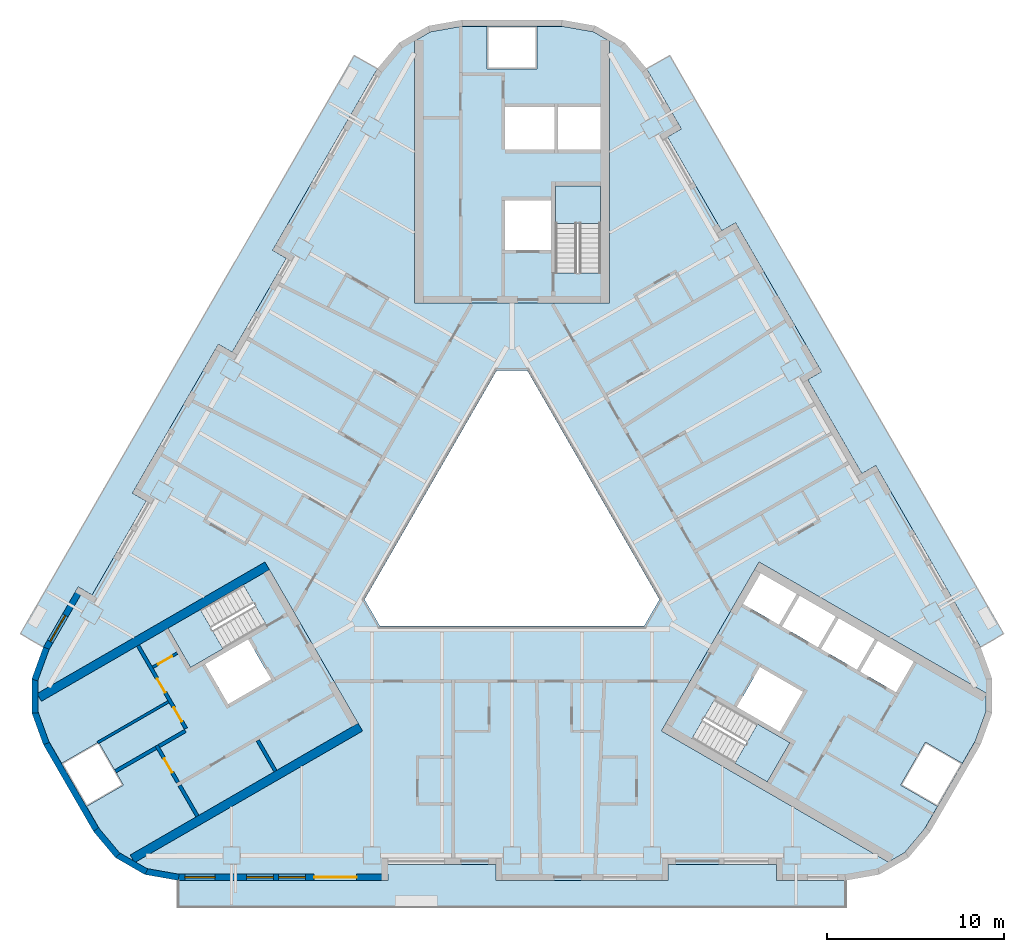
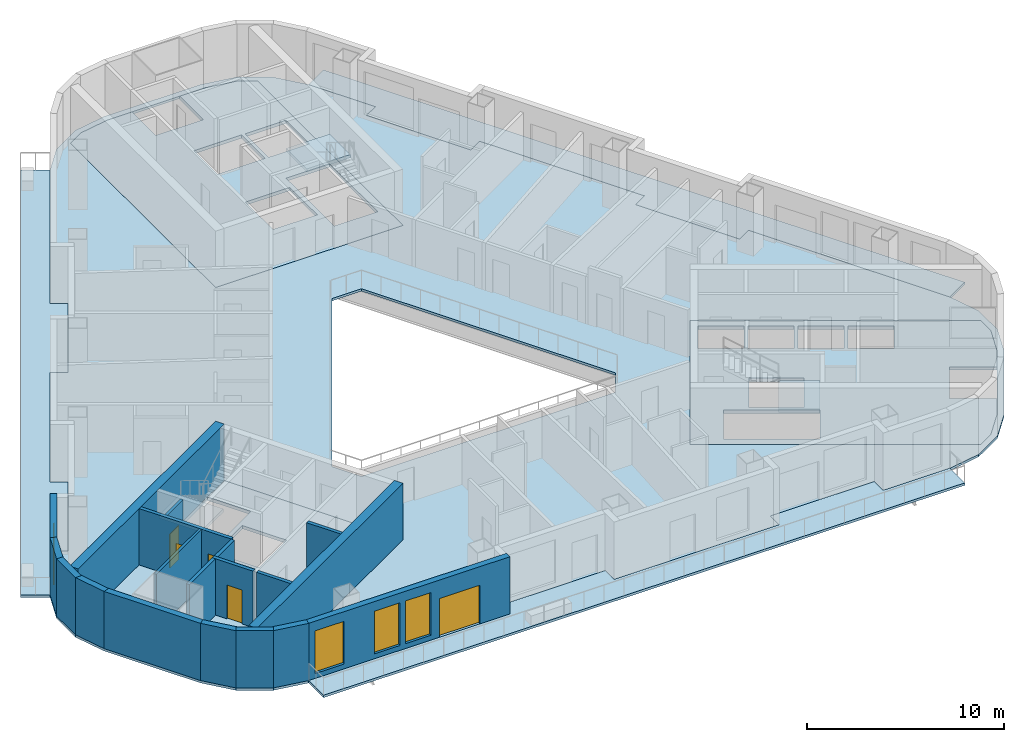
# One storey, part 2 of 14: 19 walls, 10 slabs, 5 doors, 4 windows, 9 openings, 3 elements without a shape of their own.
"""IFC4 building model written with IfcOpenShell, lengths in metres."""

import ifcopenshell
import ifcopenshell.guid

model = None  # the IFC model being written
_history = None  # IfcOwnerHistory: only IFC2X3 demands one
_inside = {}  # id of a spatial element -> (the spatial element, [elements in it])
_under = {}  # id of a project, library or spatial element -> (it, [spatial elements below it])
_declared = {}  # id of a project -> (the project, [libraries it declares])
_typed = {}  # id of a type object -> (the type object, [elements of that type])
_made_of = {}  # id of a material, layer set ... -> (it, [elements and type objects made of it])


def new_model(schema):
    """Start an empty IFC model of exactly this schema.

    Asked for "IFC4X3", IfcOpenShell would pick the latest addendum, in which some entities
    have other attributes; the version numbers below select the first issue.
    IFC2X3 requires an IfcOwnerHistory on every rooted entity: one is made here for all.
    """
    global model, _history
    if schema == "IFC4X3":
        model = ifcopenshell.file(schema_version=(4, 3, 0, 0))
    else:
        model = ifcopenshell.file(schema=schema)
    _inside.clear()
    _under.clear()
    _declared.clear()
    _typed.clear()
    _made_of.clear()
    _history = None
    if model.schema == "IFC2X3":
        org = make("IfcOrganization", Name="unknown")
        user = make(
            "IfcPersonAndOrganization",
            ThePerson=make("IfcPerson", FamilyName="unknown"),
            TheOrganization=org,
        )
        app = make(
            "IfcApplication",
            ApplicationDeveloper=org,
            Version="unknown",
            ApplicationFullName="unknown",
            ApplicationIdentifier="unknown",
        )
        _history = make(
            "IfcOwnerHistory",
            OwningUser=user,
            OwningApplication=app,
            ChangeAction="ADDED",
            CreationDate=0,
        )
    return model


def make(cls, **values):
    """One entity of the class cls with the attributes given. An attribute that is None is left unset."""
    return model.create_entity(
        cls, **{name: value for name, value in values.items() if value is not None}
    )


def rooted(cls, **values):
    """An entity with a GlobalId (a new one), such as an element, a storey or a relation."""
    return make(cls, GlobalId=ifcopenshell.guid.new(), OwnerHistory=_history, **values)


def si_unit(unit_type, name, prefix=None):
    """IfcSIUnit, for example si_unit("LENGTHUNIT", "METRE", prefix="MILLI")."""
    return make("IfcSIUnit", UnitType=unit_type, Prefix=prefix, Name=name)


def assignment(units):
    """IfcUnitAssignment: the units of a project."""
    return None if units is None else make("IfcUnitAssignment", Units=units)


def point(xyz):
    """IfcCartesianPoint."""
    return None if xyz is None else make("IfcCartesianPoint", Coordinates=xyz)


def direction(xyz):
    """IfcDirection."""
    return None if xyz is None else make("IfcDirection", DirectionRatios=xyz)


def frame(location, z_axis=None, x_axis=None):
    """IfcAxis2Placement3D, a coordinate frame: its origin and axes. An axis left out is left unset."""
    return make(
        "IfcAxis2Placement3D",
        Location=point(location),
        Axis=direction(z_axis),
        RefDirection=direction(x_axis),
    )


def frame_2d(location, x_axis=None):
    """IfcAxis2Placement2D, a coordinate frame in the plane: its origin and x axis."""
    return make(
        "IfcAxis2Placement2D", Location=point(location), RefDirection=direction(x_axis)
    )


def origin():
    """The frame at (0, 0, 0) with its axes left unset."""
    return frame((0.0, 0.0, 0.0))


def place(relative_to, where):
    """IfcLocalPlacement: puts the frame where relative to a parent placement (None: the world)."""
    return make(
        "IfcLocalPlacement", PlacementRelTo=relative_to, RelativePlacement=where
    )


def context(
    kind, dimensions, precision=None, world=None, true_north=None, identifier=None
):
    """IfcGeometricRepresentationContext, for example the 3D "Model" context."""
    return make(
        "IfcGeometricRepresentationContext",
        ContextIdentifier=identifier,
        ContextType=kind,
        CoordinateSpaceDimension=dimensions,
        Precision=precision,
        WorldCoordinateSystem=world,
        TrueNorth=true_north,
    )


def subcontext(parent, identifier, kind, view, scale=None):
    """IfcGeometricRepresentationSubContext, for example "Body" below "Model"."""
    return make(
        "IfcGeometricRepresentationSubContext",
        ContextIdentifier=identifier,
        ContextType=kind,
        ParentContext=parent,
        TargetScale=scale,
        TargetView=view,
    )


def project(units=None, contexts=None):
    """IfcProject with its units and contexts."""
    return rooted(
        "IfcProject",
        Name="project",
        RepresentationContexts=contexts,
        UnitsInContext=assignment(units),
    )


def spatial(cls, under=None, at=None, **own):
    """A site, building, storey or space (cls), placed at a placement, below another one or the project."""
    s = rooted(cls, ObjectPlacement=at, **own)
    if under is not None:
        _under.setdefault(under.id(), (under, []))[1].append(s)
    return s


def polyline(points):
    """IfcPolyline through the points."""
    return make("IfcPolyline", Points=[point(p) for p in points])


def profile(cls, at=None, kind="AREA", **sizes):
    """A parametric profile (cls). Its sizes go by their IFC names, for example OverallWidth=200.0."""
    return make(cls, ProfileType=kind, Position=at, **sizes)


def rectangle(**sizes):
    """IfcRectangleProfileDef."""
    return profile("IfcRectangleProfileDef", **sizes)


def outline(outer, holes=None, kind="AREA"):
    """IfcArbitraryClosedProfileDef: a profile drawn as a closed curve; with holes, ...WithVoids."""
    if holes is None:
        return make("IfcArbitraryClosedProfileDef", ProfileType=kind, OuterCurve=outer)
    return make(
        "IfcArbitraryProfileDefWithVoids",
        ProfileType=kind,
        OuterCurve=outer,
        InnerCurves=holes,
    )


def extrude(swept, where, along, depth):
    """IfcExtrudedAreaSolid: the profile swept, set in the frame where, extruded along a direction by depth."""
    return make(
        "IfcExtrudedAreaSolid",
        SweptArea=swept,
        Position=where,
        ExtrudedDirection=direction(along),
        Depth=depth,
    )


def shape(context_of_items, identifier, shape_type, items):
    """IfcShapeRepresentation: the items that make up one representation, for example the "Body"."""
    return make(
        "IfcShapeRepresentation",
        ContextOfItems=context_of_items,
        RepresentationIdentifier=identifier,
        RepresentationType=shape_type,
        Items=items,
    )


def material(Name=None, Category=None):
    """IfcMaterial."""
    return make("IfcMaterial", Name=Name, Category=Category)


def layer(
    of_material, thickness, ventilated=None, Name=None, Category=None, Priority=None
):
    """IfcMaterialLayer: one layer of a wall or slab, of a material (None: an air gap)."""
    return make(
        "IfcMaterialLayer",
        Material=of_material,
        LayerThickness=thickness,
        IsVentilated=ventilated,
        Name=Name,
        Category=Category,
        Priority=Priority,
    )


def layer_set(layers, Name=None):
    """IfcMaterialLayerSet."""
    return make("IfcMaterialLayerSet", MaterialLayers=layers, LayerSetName=Name)


def made_of(thing, what):
    """Note that an element or type object is made of a material, layer set ...; save() writes the relation."""
    if what is not None:
        _made_of.setdefault(what.id(), (what, []))[1].append(thing)
    return thing


def type_object(cls, material=None, **own):
    """A type object (cls), such as IfcWallType, which elements share."""
    return made_of(rooted(cls, **own), material)


def element(
    cls,
    number,
    at=None,
    inside=None,
    cuts=None,
    type_object=None,
    material=None,
    context=None,
    identifier="Body",
    shape_type=None,
    held_by="IfcProductDefinitionShape",
    body=None,
    shapes=None,
    **own,
):
    """One element of the class cls, such as IfcWall. Its Tag is "e" and its number.

    at: its placement. inside: the storey or other place that contains it. cuts: it is an
    opening in that element (IfcRelVoidsElement). A single representation is given by context,
    identifier, shape_type and body (its items); several are given by shapes. held_by: the class
    of the entity that holds the representations. save() writes the other relations.
    """
    e = rooted(cls, Tag="e%d" % number, ObjectPlacement=at, **own)
    if body is not None:
        shapes = [shape(context, identifier, shape_type, body)]
    if shapes is not None:
        e.Representation = make(held_by, Representations=shapes)
    if inside is not None:
        _inside.setdefault(inside.id(), (inside, []))[1].append(e)
    if cuts is not None:
        rooted(
            "IfcRelVoidsElement", RelatingBuildingElement=cuts, RelatedOpeningElement=e
        )
    if type_object is not None:
        _typed.setdefault(type_object.id(), (type_object, []))[1].append(e)
    return made_of(e, material)


def fill(opening, filler):
    """IfcRelFillsElement: the door or window that sits in an opening."""
    return rooted(
        "IfcRelFillsElement",
        RelatingOpeningElement=opening,
        RelatedBuildingElement=filler,
    )


def aggregate(whole, parts):
    """IfcRelAggregates: a whole, such as a stair, and the parts it consists of."""
    return rooted("IfcRelAggregates", RelatingObject=whole, RelatedObjects=parts)


def save(model, path):
    """Write the relations noted so far, then the file.

    IfcRelAggregates (storeys below a building ...), IfcRelContainedInSpatialStructure (elements
    in a storey), IfcRelDefinesByType, IfcRelAssociatesMaterial and IfcRelDeclares: one each for
    every whole, place, type object, material and project.
    """
    for whole, parts in _under.values():
        aggregate(whole, parts)
    for where, things in _inside.values():
        rooted(
            "IfcRelContainedInSpatialStructure",
            RelatedElements=things,
            RelatingStructure=where,
        )
    for kind, things in _typed.values():
        rooted("IfcRelDefinesByType", RelatedObjects=things, RelatingType=kind)
    for what, things in _made_of.values():
        rooted("IfcRelAssociatesMaterial", RelatedObjects=things, RelatingMaterial=what)
    for by, libraries in _declared.values():
        rooted("IfcRelDeclares", RelatingContext=by, RelatedDefinitions=libraries)
    model.write(path)


model = new_model("IFC4")

# Units and contexts
model_context = context("Model", 3, precision=1e-05, world=origin(), true_north=direction((0.0, 1.0)))
body_context = subcontext(model_context, "Body", "Model", "MODEL_VIEW")
ifc_project = project(units=[si_unit("LENGTHUNIT", "METRE"), si_unit("AREAUNIT", "SQUARE_METRE"), si_unit("VOLUMEUNIT", "CUBIC_METRE"), si_unit("PLANEANGLEUNIT", "RADIAN"), si_unit("MASSUNIT", "GRAM", prefix="KILO")], contexts=[model_context])

# Site, building, storey
site_placement = place(None, origin())
site = spatial("IfcSite", under=ifc_project, at=site_placement, CompositionType="ELEMENT")
building_placement = place(site_placement, origin())
building = spatial("IfcBuilding", under=site, at=building_placement, Name="Apuvela Tower Hotel", CompositionType="ELEMENT")
storey_placement = place(building_placement, frame((0.0, 0.0, 50.199951171875)))
storey = spatial("IfcBuildingStorey", under=building, at=storey_placement, Name="L09", CompositionType="ELEMENT", Elevation=50.199951171875)

# Slabs
ifc_material_1 = material(Name="Concrete C50/60", Category="concrete")
ifc_layer_1 = layer(ifc_material_1, 0.199951171875)
ifc_layer_set_1 = layer_set([ifc_layer_1], Name="COR-FLOOR-200")
slab_type_1 = type_object("IfcSlabType", Name="COR-FLOOR-200", PredefinedType="FLOOR", material=ifc_layer_set_1)
slab_1_placement = place(storey_placement, frame((0.0, 0.0, -0.199951171875)))
element("IfcSlab", 1, at=slab_1_placement, inside=storey, type_object=slab_type_1, Name="Core floor N", PredefinedType="FLOOR", context=body_context, shape_type="SweptSolid", body=[
    extrude(outline(polyline([(5.5, 27.668212890625), (4.588623046875, 28.1943359375), (2.85498046875, 28.5), (1.39990234375, 28.5), (1.39990234375, 26.10009765625), (-1.39990234375, 26.10009765625), (-1.39990234375, 28.5), (-2.85498046875, 28.5), (-4.588623046875, 28.1943359375), (-5.5, 27.668212890625), (-5.5, 12.89990234375), (5.5, 12.89990234375), (5.5, 27.668212890625)]), holes=[polyline([(5.0, 14.60595703125), (2.449951171875, 14.60595703125), (2.449951171875, 19.5), (5.0, 19.5), (5.0, 14.60595703125)]), polyline([(2.199951171875, 15.89990234375), (-0.39990234375, 15.89990234375), (-0.39990234375, 18.699951171875), (2.199951171875, 18.699951171875), (2.199951171875, 15.89990234375)]), polyline([(5.0, 21.550048828125), (2.60009765625, 21.550048828125), (2.60009765625, 23.949951171875), (5.0, 23.949951171875), (5.0, 21.550048828125)]), polyline([(2.39990234375, 21.550048828125), (-0.39990234375, 21.550048828125), (-0.39990234375, 23.949951171875), (2.39990234375, 23.949951171875), (2.39990234375, 21.550048828125)])]), origin(), (0.0, 0.0, 1.0), 0.199951171875),
])
slab_2_placement = place(storey_placement, frame((0.0, 0.0, -0.199951171875)))
element("IfcSlab", 2, at=slab_2_placement, inside=storey, type_object=slab_type_1, Name="Core floor SW", PredefinedType="FLOOR", context=body_context, shape_type="SweptSolid", body=[
    extrude(outline(polyline([(-26.711181640625, -9.07080078125), (-26.711181640625, -10.123291015625), (-26.109375, -11.77734375), (-25.381591796875, -13.03759765625), (-23.30322265625, -11.837646484375), (-21.9033203125, -14.262451171875), (-23.981689453125, -15.46240234375), (-23.254150390625, -16.72265625), (-22.122802734375, -18.071044921875), (-21.211181640625, -18.59716796875), (-8.421630859375, -11.213134765625), (-13.921630859375, -1.68701171875), (-26.711181640625, -9.07080078125)]), holes=[polyline([(-13.874267578125, -5.18115234375), (-18.112548828125, -7.628173828125), (-19.387451171875, -5.419921875), (-15.149169921875, -2.972900390625), (-13.874267578125, -5.18115234375)]), polyline([(-13.56982421875, -8.29638671875), (-15.99462890625, -9.6962890625), (-17.294677734375, -7.444580078125), (-14.869873046875, -6.044677734375), (-13.56982421875, -8.29638671875)])]), origin(), (0.0, 0.0, 1.0), 0.199951171875),
])
slab_3_placement = place(storey_placement, frame((0.0, 0.0, -0.199951171875)))
element("IfcSlab", 3, at=slab_3_placement, inside=storey, type_object=slab_type_1, Name="Core floor SE", PredefinedType="FLOOR", context=body_context, shape_type="SweptSolid", body=[
    extrude(outline(polyline([(21.211181640625, -18.59716796875), (22.122802734375, -18.071044921875), (23.254150390625, -16.72265625), (23.981689453125, -15.46240234375), (21.9033203125, -14.262451171875), (23.30322265625, -11.837646484375), (25.381591796875, -13.03759765625), (26.109375, -11.77734375), (26.711181640625, -10.123291015625), (26.711181640625, -9.07080078125), (13.921630859375, -1.68701171875), (8.421630859375, -11.213134765625), (21.211181640625, -18.59716796875)]), holes=[polyline([(13.01806640625, -4.052001953125), (14.01806640625, -2.31982421875), (16.044677734375, -3.489990234375), (15.044677734375, -5.221923828125), (13.01806640625, -4.052001953125)]), polyline([(17.244384765625, -6.491943359375), (15.2177734375, -5.322021484375), (16.2177734375, -3.58984375), (18.244384765625, -4.760009765625), (17.244384765625, -6.491943359375)]), polyline([(14.387451171875, -14.080078125), (10.149169921875, -11.633056640625), (11.42431640625, -9.4248046875), (15.66259765625, -11.871826171875), (14.387451171875, -14.080078125)]), polyline([(12.669921875, -9.855224609375), (13.9697265625, -7.603515625), (16.394775390625, -9.003662109375), (15.0947265625, -11.25537109375), (12.669921875, -9.855224609375)]), polyline([(19.444091796875, -7.761962890625), (17.41748046875, -6.591796875), (18.41748046875, -4.85986328125), (20.444091796875, -6.02978515625), (19.444091796875, -7.761962890625)]), polyline([(21.643798828125, -9.031982421875), (19.6171875, -7.86181640625), (20.6171875, -6.1298828125), (22.643798828125, -7.2998046875), (21.643798828125, -9.031982421875)])]), origin(), (0.0, 0.0, 1.0), 0.199951171875),
])

# Stair, slab
stair_type = type_object("IfcStairType", Name="COR-STAIR-22R", PredefinedType="HALF_TURN_STAIR", material=ifc_material_1)
stair_1_placement = place(storey_placement, origin())
stair_1 = element("IfcStair", 4, at=stair_1_placement, inside=storey, type_object=stair_type, Name="L09 Exit stair ST1", PredefinedType="HALF_TURN_STAIR")
ifc_layer_2 = layer(ifc_material_1, 0.199951171875)
ifc_layer_set_2 = layer_set([ifc_layer_2], Name="COR-LANDING-200")
slab_type_2 = type_object("IfcSlabType", Name="COR-LANDING-200", PredefinedType="LANDING", material=ifc_layer_set_2)
slab_4_placement = place(storey_placement, frame((0.0, 0.0, 1.650146484375)))
slab_4 = element("IfcSlab", 5, at=slab_4_placement, type_object=slab_type_2, Name="ST1 landing 1", PredefinedType="LANDING", context=body_context, shape_type="SweptSolid", body=[
    extrude(outline(polyline([(5.0, 17.39404296875), (5.0, 19.5), (2.449951171875, 19.5), (2.449951171875, 17.39404296875), (5.0, 17.39404296875)])), origin(), (0.0, 0.0, 1.0), 0.199951171875),
])
aggregate(stair_1, [slab_4])

stair_2_placement = place(storey_placement, origin())
stair_2 = element("IfcStair", 6, at=stair_2_placement, inside=storey, type_object=stair_type, Name="L09 Exit stair ST2", PredefinedType="HALF_TURN_STAIR")
slab_5_placement = place(storey_placement, frame((0.0, 0.0, 1.650146484375)))
slab_5 = element("IfcSlab", 7, at=slab_5_placement, type_object=slab_type_2, Name="ST2 landing 1", PredefinedType="LANDING", context=body_context, shape_type="SweptSolid", body=[
    extrude(outline(polyline([(-17.563720703125, -4.366943359375), (-19.387451171875, -5.419921875), (-18.112548828125, -7.628173828125), (-16.28857421875, -6.5751953125), (-17.563720703125, -4.366943359375)])), origin(), (0.0, 0.0, 1.0), 0.199951171875),
])
aggregate(stair_2, [slab_5])

stair_3_placement = place(storey_placement, origin())
stair_3 = element("IfcStair", 8, at=stair_3_placement, inside=storey, type_object=stair_type, Name="L09 Exit stair ST3", PredefinedType="HALF_TURN_STAIR")
slab_6_placement = place(storey_placement, frame((0.0, 0.0, 1.650146484375)))
slab_6 = element("IfcSlab", 9, at=slab_6_placement, type_object=slab_type_2, Name="ST3 landing 1", PredefinedType="LANDING", context=body_context, shape_type="SweptSolid", body=[
    extrude(outline(polyline([(12.563720703125, -13.027099609375), (14.387451171875, -14.080078125), (15.66259765625, -11.871826171875), (13.838623046875, -10.81884765625), (12.563720703125, -13.027099609375)])), origin(), (0.0, 0.0, 1.0), 0.199951171875),
])
aggregate(stair_3, [slab_6])

# Slabs
ifc_material_2 = material(Name="Concrete C40/50, fair-faced", Category="concrete")
ifc_layer_3 = layer(ifc_material_2, 0.14990234375)
ifc_layer_set_3 = layer_set([ifc_layer_3], Name="ENV-BALCONY-150")
slab_type_3 = type_object("IfcSlabType", Name="ENV-BALCONY-150", PredefinedType="FLOOR", material=ifc_layer_set_3)
slab_7_placement = place(storey_placement, frame((0.0, 0.0, -0.14990234375)))
element("IfcSlab", 10, at=slab_7_placement, inside=storey, type_object=slab_type_3, Name="Balcony slab S L09", PredefinedType="FLOOR", context=body_context, shape_type="SweptSolid", body=[
    extrude(outline(polyline([(18.82080078125, -21.135009765625), (-18.82080078125, -21.135009765625), (-18.82080078125, -19.625), (-7.0048828125, -19.625), (-7.0048828125, -18.72509765625), (-0.89501953125, -18.72509765625), (-0.89501953125, -19.625), (8.794921875, -19.625), (8.794921875, -18.72509765625), (14.905029296875, -18.72509765625), (14.905029296875, -19.625), (18.82080078125, -19.625), (18.82080078125, -21.135009765625)])), origin(), (0.0, 0.0, 1.0), 0.14990234375),
])
slab_8_placement = place(storey_placement, frame((0.0, 0.0, -0.14990234375)))
element("IfcSlab", 11, at=slab_8_placement, inside=storey, type_object=slab_type_3, Name="Balcony slab NE L09", PredefinedType="FLOOR", context=body_context, shape_type="SweptSolid", body=[
    extrude(outline(polyline([(17.443359375, 9.037353515625), (12.598388671875, 17.42919921875), (11.81884765625, 16.979248046875), (8.763916015625, 22.2705078125), (9.543212890625, 22.720703125), (7.585205078125, 26.11181640625), (8.89306640625, 26.86669921875), (27.7138671875, -5.731689453125), (26.40625, -6.48681640625), (20.498291015625, 3.74609375), (19.71875, 3.2958984375), (16.663818359375, 8.58740234375), (17.443359375, 9.037353515625)])), origin(), (0.0, 0.0, 1.0), 0.14990234375),
])
slab_9_placement = place(storey_placement, frame((0.0, 0.0, -0.14990234375)))
element("IfcSlab", 12, at=slab_9_placement, inside=storey, type_object=slab_type_3, Name="Balcony slab NW L09", PredefinedType="FLOOR", context=body_context, shape_type="SweptSolid", body=[
    extrude(outline(polyline([(-27.7138671875, -5.731689453125), (-8.89306640625, 26.86669921875), (-7.585205078125, 26.11181640625), (-13.4931640625, 15.87890625), (-12.7138671875, 15.428955078125), (-15.768798828125, 10.1376953125), (-16.548095703125, 10.587646484375), (-21.393310546875, 2.19580078125), (-20.61376953125, 1.745849609375), (-23.668701171875, -3.545654296875), (-24.4482421875, -3.095703125), (-26.40625, -6.48681640625), (-27.7138671875, -5.731689453125)])), origin(), (0.0, 0.0, 1.0), 0.14990234375),
])
ifc_material_3 = material(Name="Concrete C35/45", Category="concrete")
ifc_layer_4 = layer(ifc_material_3, 0.14990234375)
ifc_layer_set_4 = layer_set([ifc_layer_4], Name="STR-SLAB 150 floor Concrete C35/45")
slab_type_4 = type_object("IfcSlabType", Name="STR-SLAB 150 floor Concrete C35/45", PredefinedType="FLOOR", material=ifc_layer_set_4)
slab_10_placement = place(storey_placement, frame((0.0, 0.0, -0.14990234375)))
element("IfcSlab", 13, at=slab_10_placement, inside=storey, type_object=slab_type_4, Name="Floor slab S4 L09", PredefinedType="FLOOR", context=body_context, shape_type="SweptSolid", body=[
    extrude(outline(polyline([(-6.3642578125, 27.5732421875), (-4.710205078125, 28.5283203125), (-2.8291015625, 28.860107421875), (2.8291015625, 28.860107421875), (4.710205078125, 28.5283203125), (6.3642578125, 27.5732421875), (7.59228515625, 26.110107421875), (9.550048828125, 22.71875), (8.770751953125, 22.268798828125), (11.82080078125, 16.986083984375), (12.60009765625, 17.43603515625), (17.4501953125, 9.035400390625), (16.670654296875, 8.58544921875), (19.720703125, 3.302734375), (20.5, 3.752685546875), (26.407958984375, -6.47998046875), (27.061279296875, -8.27490234375), (27.061279296875, -10.18505859375), (26.407958984375, -11.97998046875), (23.5791015625, -16.8798828125), (22.351318359375, -18.34326171875), (20.697021484375, -19.29833984375), (18.81591796875, -19.6298828125), (14.89990234375, -19.6298828125), (14.89990234375, -18.72998046875), (8.800048828125, -18.72998046875), (8.800048828125, -19.6298828125), (-0.89990234375, -19.6298828125), (-0.89990234375, -18.72998046875), (-7.0, -18.72998046875), (-7.0, -19.6298828125), (-18.81591796875, -19.6298828125), (-20.697021484375, -19.29833984375), (-22.351318359375, -18.34326171875), (-23.5791015625, -16.8798828125), (-26.407958984375, -11.97998046875), (-27.061279296875, -10.18505859375), (-27.061279296875, -8.27490234375), (-26.407958984375, -6.47998046875), (-24.4501953125, -3.088623046875), (-23.670654296875, -3.538818359375), (-20.62060546875, 1.743896484375), (-21.400146484375, 2.194091796875), (-16.550048828125, 10.594482421875), (-15.7705078125, 10.14453125), (-12.720703125, 15.42724609375), (-13.5, 15.877197265625), (-7.59228515625, 26.110107421875), (-6.3642578125, 27.5732421875)]), holes=[polyline([(0.865966796875, 9.10009765625), (-0.865966796875, 9.10009765625), (-8.313720703125, -3.800048828125), (-7.44775390625, -5.300048828125), (7.44775390625, -5.300048828125), (8.313720703125, -3.800048828125), (0.865966796875, 9.10009765625)]), polyline([(-5.5, 12.89990234375), (-5.5, 27.668212890625), (-4.588623046875, 28.1943359375), (-2.85498046875, 28.5), (2.85498046875, 28.5), (4.588623046875, 28.1943359375), (5.5, 27.668212890625), (5.5, 12.89990234375), (-5.5, 12.89990234375)]), polyline([(-8.421630859375, -11.213134765625), (-21.211181640625, -18.59716796875), (-22.122802734375, -18.071044921875), (-23.254150390625, -16.72265625), (-26.109375, -11.77734375), (-26.711181640625, -10.123291015625), (-26.711181640625, -9.07080078125), (-13.921630859375, -1.68701171875), (-8.421630859375, -11.213134765625)]), polyline([(13.921630859375, -1.68701171875), (26.711181640625, -9.07080078125), (26.711181640625, -10.123291015625), (26.109375, -11.77734375), (23.254150390625, -16.72265625), (22.122802734375, -18.071044921875), (21.211181640625, -18.59716796875), (8.421630859375, -11.213134765625), (13.921630859375, -1.68701171875)])]), origin(), (0.0, 0.0, 1.0), 0.14990234375),
])

# Walls
ifc_layer_5 = layer(ifc_material_1, 0.5)
ifc_layer_set_5 = layer_set([ifc_layer_5], Name="COR-WALL-CORE-500")
wall_type_1 = type_object("IfcWallType", Name="COR-WALL-CORE-500", PredefinedType="SHEAR", material=ifc_layer_set_5)
for number, where, z_axis, x_axis, name in (
    (14, (-13.796630859375, -1.9033203125, 0.0), (0.0, 0.0, 1.0), (-0.866025009528, -0.500000682871, 0.0), "Core wall SW"),
    (15, (-8.546630859375, -10.99658203125, 0.0), (0.0, 0.0, 1.0), (-0.866025009528, -0.500000682871, 0.0), "Core wall SW"),
):
    element("IfcWall", number, at=place(storey_placement, frame(where, z_axis=z_axis, x_axis=x_axis)), inside=storey, type_object=wall_type_1, Name=name, PredefinedType="SHEAR", context=body_context, shape_type="SweptSolid", body=[
        extrude(rectangle(XDim=14.8369140625, YDim=0.5, at=frame_2d((7.41845703125, 0.0))), origin(), (0.0, 0.0, 1.0), 3.5),
    ])

# Wall, opening, door
ifc_material_4 = material(Name="Blockwork 150 mm plastered", Category="masonry")
ifc_layer_6 = layer(ifc_material_4, 0.14990234375)
ifc_layer_set_6 = layer_set([ifc_layer_6], Name="COR-WALL-PART-150")
wall_type_2 = type_object("IfcWallType", Name="COR-WALL-PART-150", PredefinedType="PARTITIONING", material=ifc_layer_set_6)
wall_1_placement = place(storey_placement, frame((-18.866455078125, -6.822265625, 0.0), z_axis=(0.0, 0.0, 1.0), x_axis=(-0.866028054938, -0.499995408039, 0.0)))
wall_1 = element("IfcWall", 16, at=wall_1_placement, inside=storey, type_object=wall_type_2, Name="Partition SW", PredefinedType="PARTITIONING", context=body_context, shape_type="SweptSolid", body=[
    extrude(rectangle(XDim=1.60009765625, YDim=0.14990234375, at=frame_2d((0.800048828125, 0.0))), origin(), (0.0, 0.0, 1.0), 3.5),
])
opening_1_placement = place(wall_1_placement, frame((0.35009765625, 0.0, 0.0)))
opening_1 = element("IfcOpeningElement", 17, at=opening_1_placement, cuts=wall_1, Name="Opening W-RD", PredefinedType="OPENING", context=body_context, shape_type="SweptSolid", body=[
    extrude(rectangle(XDim=0.89990234375, YDim=2.10009765625, at=frame_2d((0.449951171875, 1.050048828125))), frame((0.0, 0.0849609375, 0.0), z_axis=(0.0, -1.0, 0.0), x_axis=(1.0, 0.0, 0.0)), (0.0, 0.0, 1.0), 0.169921875),
])
ifc_material_5 = material(Name="Steel access door, powder coated", Category="steel")
door_type_1 = type_object("IfcDoorType", Name="COR-RD-900", OperationType="NOTDEFINED", PredefinedType="DOOR", material=ifc_material_5)
door_1_placement = place(opening_1_placement, frame((0.89990234375, 0.0, 0.0), z_axis=(0.0, 0.0, 1.0), x_axis=(-1.0, 0.0, 0.0)))
door_1 = element("IfcDoor", 18, at=door_1_placement, inside=storey, type_object=door_type_1, Name="Riser door W-RD", OperationType="SINGLE_SWING_RIGHT", OverallHeight=2.10009765625, OverallWidth=0.89990234375, PredefinedType="DOOR", context=body_context, shape_type="SweptSolid", body=[
    extrude(rectangle(XDim=0.89990234375, YDim=2.10009765625, at=frame_2d((0.449951171875, 1.050048828125))), frame((0.0, 0.02490234375, 0.0), z_axis=(0.0, -1.0, 0.0), x_axis=(1.0, 0.0, 0.0)), (0.0, 0.0, 1.0), 0.050048828125),
])
fill(opening_1, door_1)

# Wall
wall_2_placement = place(storey_placement, frame((-19.36279296875, -9.5625, 0.0), z_axis=(0.0, 0.0, 1.0), x_axis=(-0.86601185002, -0.500023475074, 0.0)))
element("IfcWall", 19, at=wall_2_placement, inside=storey, type_object=wall_type_2, Name="Partition SW", PredefinedType="PARTITIONING", context=body_context, shape_type="SweptSolid", body=[
    extrude(rectangle(XDim=4.610107421875, YDim=0.14990234375, at=frame_2d((2.30517578125, 0.0))), origin(), (0.0, 0.0, 1.0), 3.5),
])

# Wall, openings, doors
ifc_material_6 = material(Name="Blockwork 200 mm plastered", Category="masonry")
ifc_layer_7 = layer(ifc_material_6, 0.199951171875)
ifc_layer_set_7 = layer_set([ifc_layer_7], Name="COR-WALL-PART-200")
wall_type_3 = type_object("IfcWallType", Name="COR-WALL-PART-200", PredefinedType="PARTITIONING", material=ifc_layer_set_7)
wall_3_placement = place(storey_placement, frame((-21.076171875, -6.39501953125, 0.0), z_axis=(0.0, 0.0, 1.0), x_axis=(0.50001468107, -0.866016927499, 0.0)))
wall_3 = element("IfcWall", 20, at=wall_3_placement, inside=storey, type_object=wall_type_3, Name="Partition SW", PredefinedType="PARTITIONING", context=body_context, shape_type="SweptSolid", body=[
    extrude(rectangle(XDim=5.399658203125, YDim=0.199951171875, at=frame_2d((2.69970703125, 0.0))), origin(), (0.0, 0.0, 1.0), 3.5),
])
opening_2_placement = place(wall_3_placement, frame((2.16259765625, 0.0, 0.0)))
opening_2 = element("IfcOpeningElement", 21, at=opening_2_placement, cuts=wall_3, Name="Opening W-RS1", PredefinedType="OPENING", context=body_context, shape_type="SweptSolid", body=[
    extrude(rectangle(XDim=0.89990234375, YDim=2.10009765625, at=frame_2d((0.449951171875, 1.050048828125))), frame((0.0, 0.10986328125, 0.0), z_axis=(0.0, -1.0, 0.0), x_axis=(1.0, 0.0, 0.0)), (0.0, 0.0, 1.0), 0.219970703125),
])
opening_3_placement = place(wall_3_placement, frame((4.03759765625, 0.0, 0.0)))
opening_3 = element("IfcOpeningElement", 22, at=opening_3_placement, cuts=wall_3, Name="Opening W-RS2", PredefinedType="OPENING", context=body_context, shape_type="SweptSolid", body=[
    extrude(rectangle(XDim=0.89990234375, YDim=2.10009765625, at=frame_2d((0.449951171875, 1.050048828125))), frame((0.0, 0.10986328125, 0.0), z_axis=(0.0, -1.0, 0.0), x_axis=(1.0, 0.0, 0.0)), (0.0, 0.0, 1.0), 0.219970703125),
])
ifc_material_7 = material(Name="Steel fire door, powder coated", Category="steel")
door_type_2 = type_object("IfcDoorType", Name="COR-DR-900", OperationType="NOTDEFINED", PredefinedType="DOOR", material=ifc_material_7)
door_2_placement = place(opening_2_placement, frame((0.89990234375, 0.0, 0.0), z_axis=(0.0, 0.0, 1.0), x_axis=(-1.0, 0.0, 0.0)))
door_2 = element("IfcDoor", 23, at=door_2_placement, inside=storey, type_object=door_type_2, Name="Store door W-RS1", OperationType="SINGLE_SWING_LEFT", OverallHeight=2.10009765625, OverallWidth=0.89990234375, PredefinedType="DOOR", context=body_context, shape_type="SweptSolid", body=[
    extrude(rectangle(XDim=0.89990234375, YDim=2.10009765625, at=frame_2d((0.449951171875, 1.050048828125))), frame((0.0, 0.02490234375, 0.0), z_axis=(0.0, -1.0, 0.0), x_axis=(1.0, 0.0, 0.0)), (0.0, 0.0, 1.0), 0.050048828125),
])
fill(opening_2, door_2)
door_3_placement = place(opening_3_placement, frame((0.89990234375, 0.0, 0.0), z_axis=(0.0, 0.0, 1.0), x_axis=(-1.0, 0.0, 0.0)))
door_3 = element("IfcDoor", 24, at=door_3_placement, inside=storey, type_object=door_type_2, Name="Store door W-RS2", OperationType="SINGLE_SWING_LEFT", OverallHeight=2.10009765625, OverallWidth=0.89990234375, PredefinedType="DOOR", context=body_context, shape_type="SweptSolid", body=[
    extrude(rectangle(XDim=0.89990234375, YDim=2.10009765625, at=frame_2d((0.449951171875, 1.050048828125))), frame((0.0, 0.02490234375, 0.0), z_axis=(0.0, -1.0, 0.0), x_axis=(1.0, 0.0, 0.0)), (0.0, 0.0, 1.0), 0.050048828125),
])
fill(opening_3, door_3)

# Wall, opening, door
ifc_layer_8 = layer(ifc_material_1, 0.199951171875)
ifc_layer_set_8 = layer_set([ifc_layer_8], Name="COR-WALL-SHAFT-200")
wall_type_4 = type_object("IfcWallType", Name="COR-WALL-SHAFT-200", PredefinedType="SHEAR", material=ifc_layer_set_8)
wall_4_placement = place(storey_placement, frame((-20.030517578125, -12.0263671875, 0.0), z_axis=(0.0, 0.0, 1.0), x_axis=(0.500033551112, -0.866006032174, 0.0)))
wall_4 = element("IfcWall", 25, at=wall_4_placement, inside=storey, type_object=wall_type_4, Name="Shaft wall SW", PredefinedType="SHEAR", context=body_context, shape_type="SweptSolid", body=[
    extrude(rectangle(XDim=2.400146484375, YDim=0.199951171875, at=frame_2d((1.2001953125, 0.0))), origin(), (0.0, 0.0, 1.0), 3.5),
])
opening_4_placement = place(wall_4_placement, frame((0.85009765625, 0.0, 0.0)))
opening_4 = element("IfcOpeningElement", 26, at=opening_4_placement, cuts=wall_4, Name="Opening W-REP", PredefinedType="OPENING", context=body_context, shape_type="SweptSolid", body=[
    extrude(rectangle(XDim=0.89990234375, YDim=2.10009765625, at=frame_2d((0.449951171875, 1.050048828125))), frame((0.0, 0.10986328125, 0.0), z_axis=(0.0, -1.0, 0.0), x_axis=(1.0, 0.0, 0.0)), (0.0, 0.0, 1.0), 0.219970703125),
])
door_4_placement = place(opening_4_placement, frame((0.89990234375, 0.0, 0.0), z_axis=(0.0, 0.0, 1.0), x_axis=(-1.0, 0.0, 0.0)))
door_4 = element("IfcDoor", 27, at=door_4_placement, inside=storey, type_object=door_type_2, Name="Store door W-REP", OperationType="SINGLE_SWING_LEFT", OverallHeight=2.10009765625, OverallWidth=0.89990234375, PredefinedType="DOOR", context=body_context, shape_type="SweptSolid", body=[
    extrude(rectangle(XDim=0.89990234375, YDim=2.10009765625, at=frame_2d((0.449951171875, 1.050048828125))), frame((0.0, 0.02490234375, 0.0), z_axis=(0.0, -1.0, 0.0), x_axis=(1.0, 0.0, 0.0)), (0.0, 0.0, 1.0), 0.050048828125),
])
fill(opening_4, door_4)

# Walls
wall_5_placement = place(storey_placement, frame((-18.412841796875, -11.2080078125, 0.0), z_axis=(0.0, 0.0, 1.0), x_axis=(-0.866038183914, -0.499977863513, 0.0)))
element("IfcWall", 28, at=wall_5_placement, inside=storey, type_object=wall_type_4, Name="Shaft wall SW", PredefinedType="SHEAR", context=body_context, shape_type="SweptSolid", body=[
    extrude(rectangle(XDim=1.7099609375, YDim=0.199951171875, at=frame_2d((0.85498046875, 0.0))), origin(), (0.0, 0.0, 1.0), 3.5),
])
for number, where, z_axis, x_axis, name in (
    (29, (-14.330810546875, -11.738037109375, 0.0), (0.0, 0.0, 1.0), (0.499972520799, -0.866041268327, 0.0), "Shaft wall SW"),
    (30, (-18.73046875, -14.278076171875, 0.0), (0.0, 0.0, 1.0), (0.50002537861, -0.866010750942, 0.0), "Shaft wall SW"),
):
    element("IfcWall", number, at=place(storey_placement, frame(where, z_axis=z_axis, x_axis=x_axis)), inside=storey, type_object=wall_type_4, Name=name, PredefinedType="SHEAR", context=body_context, shape_type="SweptSolid", body=[
        extrude(rectangle(XDim=2.0, YDim=0.199951171875, at=frame_2d((1.0, 0.0))), origin(), (0.0, 0.0, 1.0), 3.5),
    ])
wall_6_placement = place(storey_placement, frame((-20.06689453125, -12.1630859375, 0.0), z_axis=(0.0, 0.0, 1.0), x_axis=(-0.866060851709, -0.499938597367, 0.0)))
element("IfcWall", 31, at=wall_6_placement, inside=storey, type_object=wall_type_4, Name="Shaft wall SW", PredefinedType="SHEAR", context=body_context, shape_type="SweptSolid", body=[
    extrude(rectangle(XDim=2.639892578125, YDim=0.199951171875, at=frame_2d((1.31982421875, 0.0))), origin(), (0.0, 0.0, 1.0), 3.5),
])

# Wall, opening, window
ifc_material_8 = material(Name="Concrete C40/50, dark pigmented precast panel", Category="concrete")
ifc_layer_9 = layer(ifc_material_8, 0.35009765625)
ifc_layer_set_9 = layer_set([ifc_layer_9], Name="ENV-WALL-350")
wall_type_5 = type_object("IfcWallType", Name="ENV-WALL-350", PredefinedType="SOLIDWALL", material=ifc_layer_set_9)
wall_7_placement = place(storey_placement, frame((-24.298583984375, -3.17626953125, 0.0), z_axis=(0.0, 0.0, 1.0), x_axis=(-0.500028278809, -0.866009076391, 0.0)))
wall_7 = element("IfcWall", 32, at=wall_7_placement, inside=storey, type_object=wall_type_5, Name="External wall L09-09", PredefinedType="SOLIDWALL", context=body_context, shape_type="SweptSolid", body=[
    extrude(rectangle(XDim=3.915771484375, YDim=0.35009765625, at=frame_2d((1.9580078125, 0.0))), origin(), (0.0, 0.0, 1.0), 3.550048828125),
])
opening_5_placement = place(wall_7_placement, frame((1.750244140625, 0.0, 0.300048828125)))
opening_5 = element("IfcOpeningElement", 33, at=opening_5_placement, cuts=wall_7, Name="Opening WN17", PredefinedType="OPENING", context=body_context, shape_type="SweptSolid", body=[
    extrude(rectangle(XDim=1.699951171875, YDim=2.64990234375, at=frame_2d((0.85009765625, 1.324951171875))), frame((0.0, 0.18505859375, 0.0), z_axis=(0.0, -1.0, 0.0), x_axis=(1.0, 0.0, 0.0)), (0.0, 0.0, 1.0), 0.3701171875),
])
ifc_material_9 = material(Name="Glass, dark tinted laminated insulated glazing unit", Category="glass")
window_type_1 = type_object("IfcWindowType", Name="ENV-WIN-1700x2650", PartitioningType="SINGLE_PANEL", PredefinedType="WINDOW", material=ifc_material_9)
window_1_placement = place(opening_5_placement, origin())
window_1 = element("IfcWindow", 34, at=window_1_placement, inside=storey, type_object=window_type_1, Name="Window WN17", OverallHeight=2.64990234375, OverallWidth=1.699951171875, PartitioningType="SINGLE_PANEL", PredefinedType="WINDOW", context=body_context, shape_type="SweptSolid", body=[
    extrude(rectangle(XDim=1.699951171875, YDim=2.64990234375, at=frame_2d((0.85009765625, 1.324951171875))), frame((0.0, 0.030029296875, 0.0), z_axis=(0.0, -1.0, 0.0), x_axis=(1.0, 0.0, 0.0)), (0.0, 0.0, 1.0), 0.06005859375),
])
fill(opening_5, window_1)

# Walls
for number, where, z_axis, x_axis, name in (
    (35, (-26.24365234375, -6.539794921875, 0.0), (0.0, 0.0, 1.0), (-0.342030395486, -0.939688889242, 0.0), "External wall L09-10"),
    (36, (-26.88623046875, -8.27490234375, 0.0), (0.0, 0.0, 1.0), (0.0, -1.0, 0.0), "External wall L09-11"),
    (37, (-26.89697265625, -10.125244140625, 0.0), (0.0, 0.0, 1.0), (0.342030395486, -0.939688889242, 0.0), "External wall L09-12"),
):
    element("IfcWall", number, at=place(storey_placement, frame(where, z_axis=z_axis, x_axis=x_axis)), inside=storey, type_object=wall_type_5, Name=name, PredefinedType="SOLIDWALL", context=body_context, shape_type="SweptSolid", body=[
        extrude(rectangle(XDim=1.91015625, YDim=0.35009765625, at=frame_2d((0.955078125, 0.0))), origin(), (0.0, 0.0, 1.0), 3.550048828125),
    ])
wall_8_placement = place(storey_placement, frame((-26.256591796875, -11.892578125, 0.0), z_axis=(0.0, 0.0, 1.0), x_axis=(0.500018773155, -0.866014564827, 0.0)))
element("IfcWall", 38, at=wall_8_placement, inside=storey, type_object=wall_type_5, Name="External wall L09-13", PredefinedType="SOLIDWALL", context=body_context, shape_type="SweptSolid", body=[
    extrude(rectangle(XDim=5.657958984375, YDim=0.35009765625, at=frame_2d((2.8291015625, 0.0))), origin(), (0.0, 0.0, 1.0), 3.550048828125),
])
for number, where, z_axis, x_axis, name in (
    (39, (-23.44482421875, -16.767578125, 0.0), (0.0, 0.0, 1.0), (0.642733291068, -0.76609001857, 0.0), "External wall L09-14"),
    (40, (-22.263671875, -18.191650390625, 0.0), (0.0, 0.0, 1.0), (0.866000389056, -0.500043324278, 0.0), "External wall L09-15"),
):
    element("IfcWall", number, at=place(storey_placement, frame(where, z_axis=z_axis, x_axis=x_axis)), inside=storey, type_object=wall_type_5, Name=name, PredefinedType="SOLIDWALL", context=body_context, shape_type="SweptSolid", body=[
        extrude(rectangle(XDim=1.909912109375, YDim=0.35009765625, at=frame_2d((0.955078125, 0.0))), origin(), (0.0, 0.0, 1.0), 3.550048828125),
    ])
wall_9_placement = place(storey_placement, frame((-20.66650390625, -19.1259765625, 0.0), z_axis=(0.0, 0.0, 1.0), x_axis=(0.984798995425, -0.173697837091, 0.0)))
element("IfcWall", 41, at=wall_9_placement, inside=storey, type_object=wall_type_5, Name="External wall L09-16", PredefinedType="SOLIDWALL", context=body_context, shape_type="SweptSolid", body=[
    extrude(rectangle(XDim=1.91015625, YDim=0.35009765625, at=frame_2d((0.955078125, 0.0))), origin(), (0.0, 0.0, 1.0), 3.550048828125),
])

# Wall, openings, door, windows
wall_10_placement = place(storey_placement, frame((-18.81591796875, -19.455078125, 0.0), z_axis=(0.0, 0.0, 1.0), x_axis=(1.0, 0.0, 0.0)))
wall_10 = element("IfcWall", 42, at=wall_10_placement, inside=storey, type_object=wall_type_5, Name="External wall L09-17", PredefinedType="SOLIDWALL", context=body_context, shape_type="SweptSolid", body=[
    extrude(rectangle(XDim=11.81591796875, YDim=0.35009765625, at=frame_2d((5.907958984375, 0.0))), origin(), (0.0, 0.0, 1.0), 3.550048828125),
])
opening_6_placement = place(wall_10_placement, frame((0.380615234375, 0.0, 0.300048828125)))
opening_6 = element("IfcOpeningElement", 43, at=opening_6_placement, cuts=wall_10, Name="Opening WN17", PredefinedType="OPENING", context=body_context, shape_type="SweptSolid", body=[
    extrude(rectangle(XDim=1.699951171875, YDim=2.64990234375, at=frame_2d((0.85009765625, 1.324951171875))), frame((0.0, 0.18505859375, 0.0), z_axis=(0.0, -1.0, 0.0), x_axis=(1.0, 0.0, 0.0)), (0.0, 0.0, 1.0), 0.3701171875),
])
opening_7_placement = place(wall_10_placement, frame((7.665283203125, 0.0, 0.0)))
opening_7 = element("IfcOpeningElement", 44, at=opening_7_placement, cuts=wall_10, Name="Opening BD24", PredefinedType="OPENING", context=body_context, shape_type="SweptSolid", body=[
    extrude(rectangle(XDim=2.39990234375, YDim=2.39990234375, at=frame_2d((1.199951171875, 1.199951171875))), frame((0.0, 0.18505859375, 0.0), z_axis=(0.0, -1.0, 0.0), x_axis=(1.0, 0.0, 0.0)), (0.0, 0.0, 1.0), 0.3701171875),
])
opening_8_placement = place(wall_10_placement, frame((3.865966796875, 0.0, 0.300048828125)))
opening_8 = element("IfcOpeningElement", 45, at=opening_8_placement, cuts=wall_10, Name="Opening WN15", PredefinedType="OPENING", context=body_context, shape_type="SweptSolid", body=[
    extrude(rectangle(XDim=1.5, YDim=2.64990234375, at=frame_2d((0.75, 1.324951171875))), frame((0.0, 0.18505859375, 0.0), z_axis=(0.0, -1.0, 0.0), x_axis=(1.0, 0.0, 0.0)), (0.0, 0.0, 1.0), 0.3701171875),
])
opening_9_placement = place(wall_10_placement, frame((5.666015625, 0.0, 0.300048828125)))
opening_9 = element("IfcOpeningElement", 46, at=opening_9_placement, cuts=wall_10, Name="Opening WN15", PredefinedType="OPENING", context=body_context, shape_type="SweptSolid", body=[
    extrude(rectangle(XDim=1.5, YDim=2.64990234375, at=frame_2d((0.75, 1.324951171875))), frame((0.0, 0.18505859375, 0.0), z_axis=(0.0, -1.0, 0.0), x_axis=(1.0, 0.0, 0.0)), (0.0, 0.0, 1.0), 0.3701171875),
])
ifc_material_10 = material(Name="Aluminium 6063-T6, dark bronze anodised frame with dark tinted laminated glass", Category="aluminium")
door_type_3 = type_object("IfcDoorType", Name="ENV-DOOR-BALCONY-2400x2400", OperationType="SLIDING_TO_LEFT", PredefinedType="DOOR", material=ifc_material_10)
door_5_placement = place(opening_7_placement, frame((2.39990234375, 0.0, 0.0), z_axis=(0.0, 0.0, 1.0), x_axis=(-1.0, 0.0, 0.0)))
door_5 = element("IfcDoor", 47, at=door_5_placement, inside=storey, type_object=door_type_3, Name="Balcony door BD24", OperationType="SLIDING_TO_LEFT", OverallHeight=2.39990234375, OverallWidth=2.39990234375, PredefinedType="DOOR", context=body_context, shape_type="SweptSolid", body=[
    extrude(rectangle(XDim=2.39990234375, YDim=2.39990234375, at=frame_2d((1.199951171875, 1.199951171875))), frame((0.0, 0.02490234375, 0.0), z_axis=(0.0, -1.0, 0.0), x_axis=(1.0, 0.0, 0.0)), (0.0, 0.0, 1.0), 0.050048828125),
])
fill(opening_7, door_5)
window_type_2 = type_object("IfcWindowType", Name="ENV-WIN-1500x2650", PartitioningType="SINGLE_PANEL", PredefinedType="WINDOW", material=ifc_material_9)
window_2_placement = place(opening_8_placement, origin())
window_2 = element("IfcWindow", 48, at=window_2_placement, inside=storey, type_object=window_type_2, Name="Window WN15", OverallHeight=2.64990234375, OverallWidth=1.5, PartitioningType="SINGLE_PANEL", PredefinedType="WINDOW", context=body_context, shape_type="SweptSolid", body=[
    extrude(rectangle(XDim=1.5, YDim=2.64990234375, at=frame_2d((0.75, 1.324951171875))), frame((0.0, 0.030029296875, 0.0), z_axis=(0.0, -1.0, 0.0), x_axis=(1.0, 0.0, 0.0)), (0.0, 0.0, 1.0), 0.06005859375),
])
fill(opening_8, window_2)
window_3_placement = place(opening_9_placement, origin())
window_3 = element("IfcWindow", 49, at=window_3_placement, inside=storey, type_object=window_type_2, Name="Window WN15", OverallHeight=2.64990234375, OverallWidth=1.5, PartitioningType="SINGLE_PANEL", PredefinedType="WINDOW", context=body_context, shape_type="SweptSolid", body=[
    extrude(rectangle(XDim=1.5, YDim=2.64990234375, at=frame_2d((0.75, 1.324951171875))), frame((0.0, 0.030029296875, 0.0), z_axis=(0.0, -1.0, 0.0), x_axis=(1.0, 0.0, 0.0)), (0.0, 0.0, 1.0), 0.06005859375),
])
fill(opening_9, window_3)
window_4_placement = place(opening_6_placement, origin())
window_4 = element("IfcWindow", 50, at=window_4_placement, inside=storey, type_object=window_type_1, Name="Window WN17", OverallHeight=2.64990234375, OverallWidth=1.699951171875, PartitioningType="SINGLE_PANEL", PredefinedType="WINDOW", context=body_context, shape_type="SweptSolid", body=[
    extrude(rectangle(XDim=1.699951171875, YDim=2.64990234375, at=frame_2d((0.85009765625, 1.324951171875))), frame((0.0, 0.030029296875, 0.0), z_axis=(0.0, -1.0, 0.0), x_axis=(1.0, 0.0, 0.0)), (0.0, 0.0, 1.0), 0.06005859375),
])
fill(opening_6, window_4)

save(model, "model.ifc")
